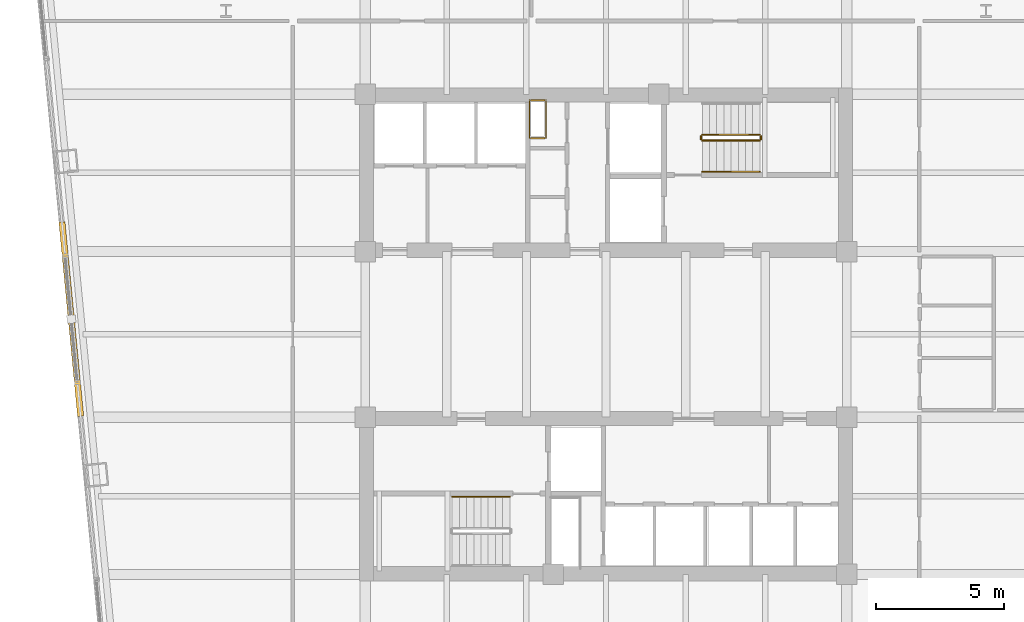
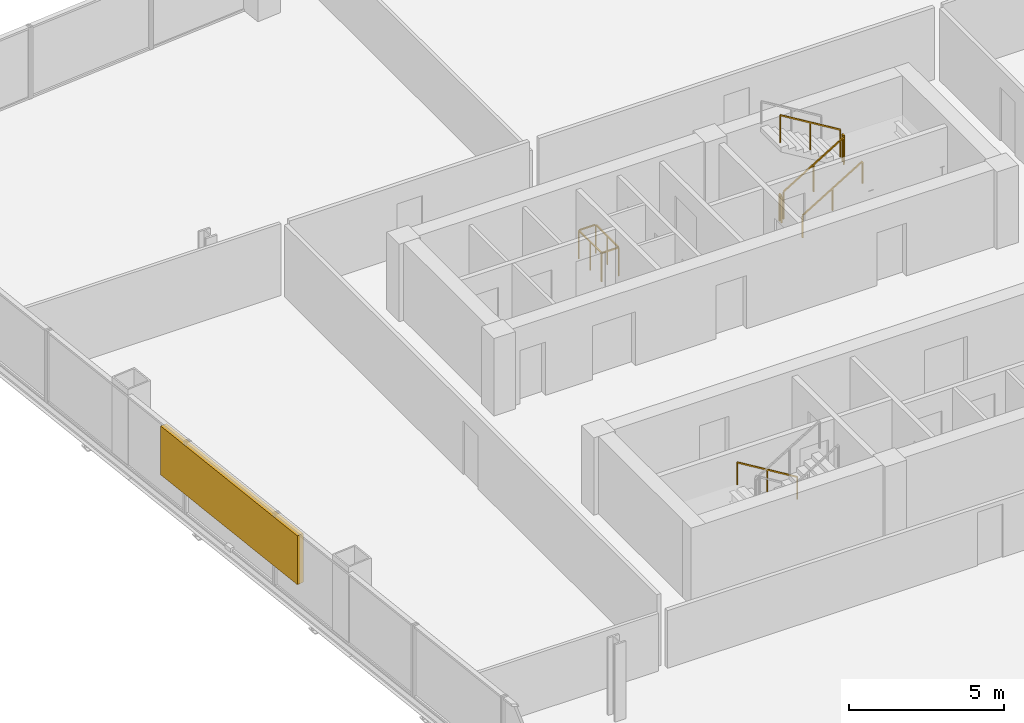
# One storey, part 26 of 27: 7 railings, 1 shading device.
"""IFC4 building model written with IfcOpenShell, lengths in metres."""

from ifc_helpers import new_model, si_unit, direction, frame, origin, origin_2d, place, context, subcontext, project, spatial, rectangle, extrude, material, type_object, element, save


model = new_model("IFC4")

# Units and contexts
model_context = context("Model", 3, precision=1e-05, world=origin(), true_north=direction((0.0, 1.0)))
body_context = subcontext(model_context, "Body", "Model", "MODEL_VIEW")
ifc_project = project(units=[si_unit("LENGTHUNIT", "METRE"), si_unit("AREAUNIT", "SQUARE_METRE"), si_unit("VOLUMEUNIT", "CUBIC_METRE"), si_unit("PLANEANGLEUNIT", "RADIAN"), si_unit("MASSUNIT", "GRAM", prefix="KILO")], contexts=[model_context])

# Site, building, storey
site_placement = place(None, origin())
site = spatial("IfcSite", under=ifc_project, at=site_placement, CompositionType="ELEMENT")
building_placement = place(site_placement, origin())
building = spatial("IfcBuilding", under=site, at=building_placement, Name="Qhalaya Broadcast Tower", CompositionType="ELEMENT")
storey_placement = place(building_placement, frame((0.0, 0.0, 75.550048828125)))
storey = spatial("IfcBuildingStorey", under=building, at=storey_placement, Name="L21", CompositionType="ELEMENT", Elevation=75.550048828125)

# Railings
ifc_material_1 = material(Name="Powder-Coated Galvanised Steel", Category="steel")
railing_type_1 = type_object("IfcRailingType", Name="Stair Wall Handrail 900", PredefinedType="HANDRAIL", material=ifc_material_1)
railing_1_placement = place(storey_placement, frame((3.75, 6.929931640625, 0.16943359375)))
element("IfcRailing", 1, at=railing_1_placement, inside=storey, type_object=railing_type_1, Name="L21 ST-1 Stair Handrail 1", PredefinedType="HANDRAIL", context=body_context, shape_type="SweptSolid", body=[
    extrude(rectangle(XDim=0.048095703125, YDim=0.048095703125, at=origin_2d()), frame((0.0, 0.0, 0.8759765625), z_axis=(0.855553338991, 0.0, 0.51771467445), x_axis=(0.0, 1.0, 0.0)), (0.0, 0.0, 1.0), 2.6181640625),
    extrude(rectangle(XDim=0.0419921875, YDim=0.0419921875, at=origin_2d()), origin(), (0.0, 0.0, 1.0), 0.849853515625),
    extrude(rectangle(XDim=0.0419921875, YDim=0.0419921875, at=origin_2d()), frame((1.1201171875, 0.0, 0.677734375)), (0.0, 0.0, 1.0), 0.849853515625),
    extrude(rectangle(XDim=0.0419921875, YDim=0.0419921875, at=origin_2d()), frame((2.239990234375, 0.0, 1.35546875)), (0.0, 0.0, 1.0), 0.849853515625),
])
railing_2_placement = place(storey_placement, frame((-3.75, -5.72998046875, 0.16943359375)))
element("IfcRailing", 2, at=railing_2_placement, inside=storey, type_object=railing_type_1, Name="L21 ST-2 Stair Handrail 1", PredefinedType="HANDRAIL", context=body_context, shape_type="SweptSolid", body=[
    extrude(rectangle(XDim=0.048095703125, YDim=0.048095703125, at=origin_2d()), frame((0.0, 0.0, 0.8759765625), z_axis=(-0.855553338991, 0.0, 0.51771467445), x_axis=(0.0, -1.0, 0.0)), (0.0, 0.0, 1.0), 2.6181640625),
    extrude(rectangle(XDim=0.0419921875, YDim=0.0419921875, at=origin_2d()), origin(), (0.0, 0.0, 1.0), 0.849853515625),
    extrude(rectangle(XDim=0.0419921875, YDim=0.0419921875, at=origin_2d()), frame((-1.1201171875, 0.0, 0.677734375)), (0.0, 0.0, 1.0), 0.849853515625),
    extrude(rectangle(XDim=0.0419921875, YDim=0.0419921875, at=origin_2d()), frame((-2.239990234375, 0.0, 1.35546875)), (0.0, 0.0, 1.0), 0.849853515625),
])
railing_type_2 = type_object("IfcRailingType", Name="Stair Well & Landing Guardrail 1100", PredefinedType="GUARDRAIL", material=ifc_material_1)
railing_3_placement = place(storey_placement, frame((-2.340087890625, 8.239990234375, 0.0)))
element("IfcRailing", 3, at=railing_3_placement, inside=storey, type_object=railing_type_2, Name="L21 Service Riser Opening Safety Guard NRSR", PredefinedType="GUARDRAIL", context=body_context, shape_type="SweptSolid", body=[
    extrude(rectangle(XDim=0.048095703125, YDim=0.048095703125, at=origin_2d()), frame((0.0, 0.02880859375, 1.1259765625), z_axis=(0.0, 1.0, 0.0), x_axis=(-1.0, 0.0, 0.0)), (0.0, 0.0, 1.0), 1.42236328125),
    extrude(rectangle(XDim=0.048095703125, YDim=0.048095703125, at=origin_2d()), frame((-0.02880859375, 1.47998046875, 1.1259765625), z_axis=(-1.0, 0.0, 0.0), x_axis=(0.0, -1.0, 0.0)), (0.0, 0.0, 1.0), 0.582275390625),
    extrude(rectangle(XDim=0.048095703125, YDim=0.048095703125, at=origin_2d()), frame((-0.639892578125, 1.451171875, 1.1259765625), z_axis=(0.0, -1.0, 0.0), x_axis=(1.0, 0.0, 0.0)), (0.0, 0.0, 1.0), 1.42236328125),
    extrude(rectangle(XDim=0.048095703125, YDim=0.048095703125, at=origin_2d()), frame((-0.611083984375, 0.0, 1.1259765625), z_axis=(1.0, 0.0, 0.0), x_axis=(0.0, 1.0, 0.0)), (0.0, 0.0, 1.0), 0.582275390625),
    extrude(rectangle(XDim=0.0419921875, YDim=0.0419921875, at=origin_2d()), origin(), (0.0, 0.0, 1.0), 1.099853515625),
    extrude(rectangle(XDim=0.0419921875, YDim=0.0419921875, at=origin_2d()), frame((0.0, 0.739990234375, 0.0)), (0.0, 0.0, 1.0), 1.099853515625),
    extrude(rectangle(XDim=0.0419921875, YDim=0.0419921875, at=origin_2d()), frame((0.0, 1.47998046875, 0.0)), (0.0, 0.0, 1.0), 1.099853515625),
    extrude(rectangle(XDim=0.0419921875, YDim=0.0419921875, at=origin_2d()), frame((-0.639892578125, 1.47998046875, 0.0)), (0.0, 0.0, 1.0), 1.099853515625),
    extrude(rectangle(XDim=0.0419921875, YDim=0.0419921875, at=origin_2d()), frame((-0.639892578125, 0.739990234375, 0.0)), (0.0, 0.0, 1.0), 1.099853515625),
    extrude(rectangle(XDim=0.0419921875, YDim=0.0419921875, at=origin_2d()), frame((-0.639892578125, 0.0, 0.0)), (0.0, 0.0, 1.0), 1.099853515625),
])
railing_4_placement = place(storey_placement, frame((3.75, 8.14990234375, 0.16943359375)))
element("IfcRailing", 4, at=railing_4_placement, inside=storey, type_object=railing_type_2, Name="L21 ST-1 Stair Guard 1", PredefinedType="GUARDRAIL", context=body_context, shape_type="SweptSolid", body=[
    extrude(rectangle(XDim=0.048095703125, YDim=0.048095703125, at=origin_2d()), frame((0.0, 0.0, 1.076171875), z_axis=(0.855553338991, 0.0, 0.51771467445), x_axis=(0.0, 1.0, 0.0)), (0.0, 0.0, 1.0), 2.6181640625),
    extrude(rectangle(XDim=0.0419921875, YDim=0.0419921875, at=origin_2d()), origin(), (0.0, 0.0, 1.0), 1.050048828125),
    extrude(rectangle(XDim=0.0419921875, YDim=0.0419921875, at=origin_2d()), frame((1.1201171875, 0.0, 0.677734375)), (0.0, 0.0, 1.0), 1.050048828125),
    extrude(rectangle(XDim=0.0419921875, YDim=0.0419921875, at=origin_2d()), frame((2.239990234375, 0.0, 1.35546875)), (0.0, 0.0, 1.0), 1.050048828125),
])
railing_5_placement = place(storey_placement, frame((6.0400390625, 8.199951171875, 1.52490234375)))
element("IfcRailing", 5, at=railing_5_placement, inside=storey, type_object=railing_type_2, Name="L21 ST-1 Stair Guard 2", PredefinedType="GUARDRAIL", context=body_context, shape_type="SweptSolid", body=[
    extrude(rectangle(XDim=0.048095703125, YDim=0.048095703125, at=origin_2d()), frame((0.0, 0.0, 1.076171875), z_axis=(0.0, 1.0, 0.0), x_axis=(-1.0, 0.0, 0.0)), (0.0, 0.0, 1.0), 0.1201171875),
    extrude(rectangle(XDim=0.0419921875, YDim=0.0419921875, at=origin_2d()), origin(), (0.0, 0.0, 1.0), 1.050048828125),
    extrude(rectangle(XDim=0.0419921875, YDim=0.0419921875, at=origin_2d()), frame((0.0, 0.1201171875, 0.0)), (0.0, 0.0, 1.0), 1.050048828125),
])
railing_6_placement = place(storey_placement, frame((5.989990234375, 8.3701171875, 1.6943359375)))
element("IfcRailing", 6, at=railing_6_placement, inside=storey, type_object=railing_type_2, Name="L21 ST-1 Stair Guard 3", PredefinedType="GUARDRAIL", context=body_context, shape_type="SweptSolid", body=[
    extrude(rectangle(XDim=0.048095703125, YDim=0.048095703125, at=origin_2d()), frame((0.0, 0.0, 1.076171875), z_axis=(-0.855512035549, 0.0, 0.517782924622), x_axis=(0.0, -1.0, 0.0)), (0.0, 0.0, 1.0), 2.618408203125),
    extrude(rectangle(XDim=0.0419921875, YDim=0.0419921875, at=origin_2d()), origin(), (0.0, 0.0, 1.0), 1.050048828125),
    extrude(rectangle(XDim=0.0419921875, YDim=0.0419921875, at=origin_2d()), frame((-1.1201171875, 0.0, 0.677734375)), (0.0, 0.0, 1.0), 1.050048828125),
    extrude(rectangle(XDim=0.0419921875, YDim=0.0419921875, at=origin_2d()), frame((-2.239990234375, 0.0, 1.355712890625)), (0.0, 0.0, 1.0), 1.050048828125),
])
railing_7_placement = place(storey_placement, frame((3.699951171875, 8.199951171875, 0.0)))
element("IfcRailing", 7, at=railing_7_placement, inside=storey, type_object=railing_type_2, Name="L21 ST-1 Stair Guard 4", PredefinedType="GUARDRAIL", context=body_context, shape_type="SweptSolid", body=[
    extrude(rectangle(XDim=0.048095703125, YDim=0.048095703125, at=origin_2d()), frame((0.0, 0.0, 1.076171875), z_axis=(0.0, 1.0, 0.0), x_axis=(-1.0, 0.0, 0.0)), (0.0, 0.0, 1.0), 0.1201171875),
    extrude(rectangle(XDim=0.0419921875, YDim=0.0419921875, at=origin_2d()), origin(), (0.0, 0.0, 1.0), 1.050048828125),
    extrude(rectangle(XDim=0.0419921875, YDim=0.0419921875, at=origin_2d()), frame((0.0, 0.1201171875, 0.0)), (0.0, 0.0, 1.0), 1.050048828125),
])

# Shading device
ifc_material_2 = material(Name="Fired Architectural Terracotta", Category="masonry")
shading_device_type = type_object("IfcShadingDeviceType", Name="Terracotta Baguette Solar Screen Assembly TBS-01", PredefinedType="USERDEFINED", material=ifc_material_2)
shading_device_placement = place(storey_placement, frame((-20.827392578125, 1.193603515625, 0.79248046875), z_axis=(0.0, 0.0, 1.0), x_axis=(0.09584575252, -0.995396198367, 0.0)))
element("IfcShadingDevice", 8, at=shading_device_placement, inside=storey, type_object=shading_device_type, Name="L21 Fired Terracotta Baguette Screen W", ObjectType="BAGUETTE", PredefinedType="USERDEFINED", context=body_context, shape_type="SweptSolid", body=[
    extrude(rectangle(XDim=7.60009765625, YDim=0.239990234375, at=origin_2d()), origin(), (0.0, 0.0, 1.0), 1.924072265625),
])

save(model, "model.ifc")
